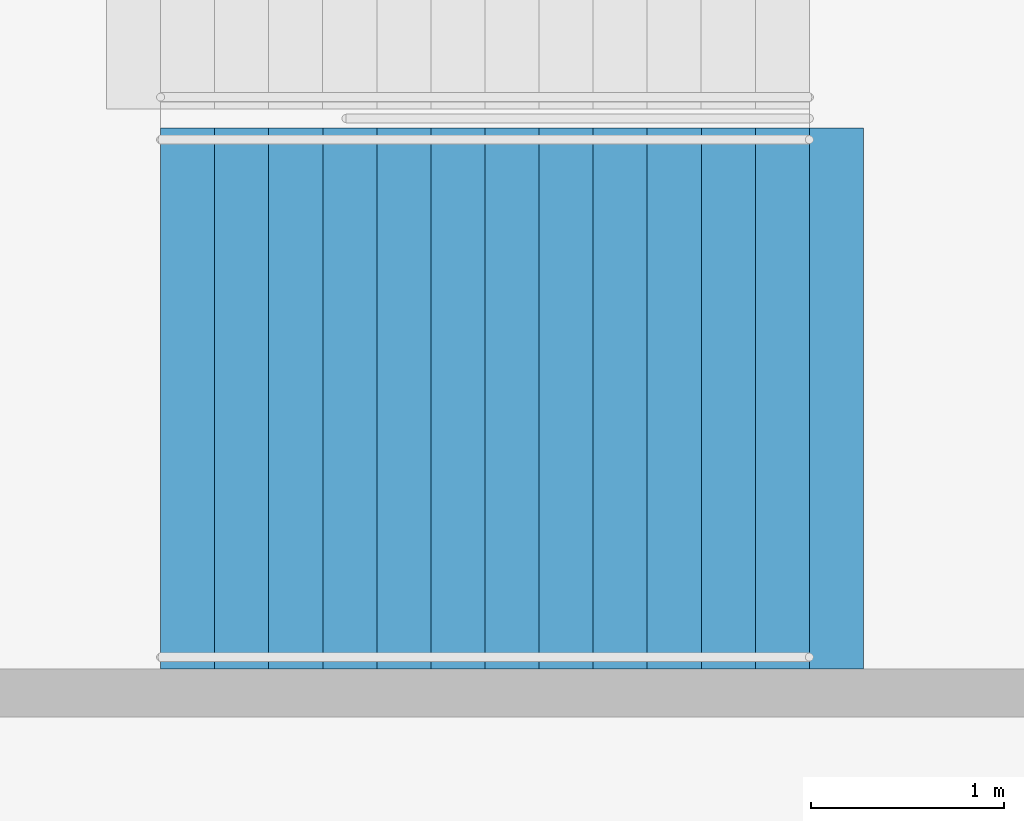
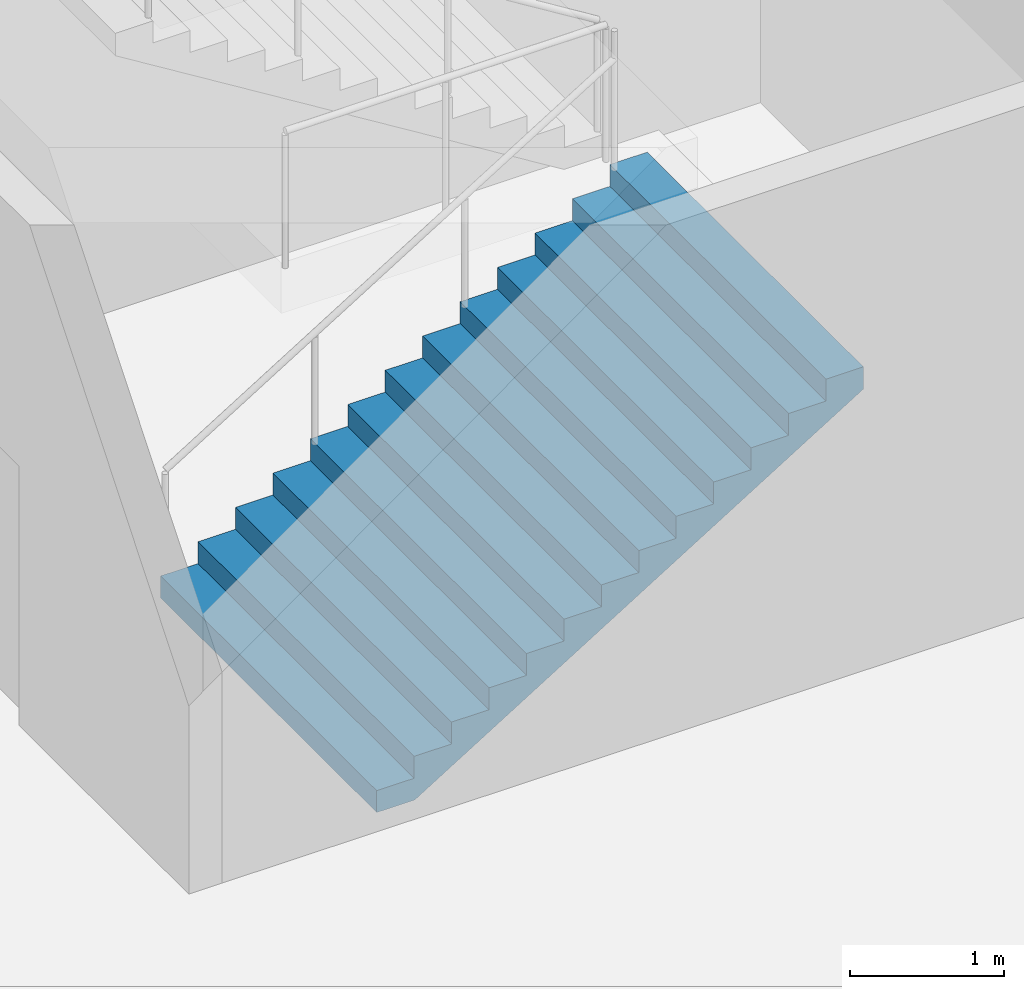
# One storey, part 80 of 115: 1 stair flight, 1 element without a shape of its own.
"""IFC4 building model written with IfcOpenShell, lengths in metres."""

from ifc_helpers import new_model, si_unit, direction, frame, origin, place, context, subcontext, project, spatial, faceted_brep, material, type_object, element, aggregate, save


model = new_model("IFC4")

# Units and contexts
model_context = context("Model", 3, precision=1e-05, world=origin(), true_north=direction((0.0, 1.0)))
body_context = subcontext(model_context, "Body", "Model", "MODEL_VIEW")
ifc_project = project(units=[si_unit("LENGTHUNIT", "METRE"), si_unit("AREAUNIT", "SQUARE_METRE"), si_unit("VOLUMEUNIT", "CUBIC_METRE"), si_unit("PLANEANGLEUNIT", "RADIAN"), si_unit("MASSUNIT", "GRAM", prefix="KILO")], contexts=[model_context])

# Site, building, storey
site_placement = place(None, origin())
site = spatial("IfcSite", under=ifc_project, at=site_placement, CompositionType="ELEMENT")
building_placement = place(site_placement, origin())
building = spatial("IfcBuilding", under=site, at=building_placement, Name="Ogive Plaza Stadium", CompositionType="ELEMENT")
storey_placement = place(building_placement, frame((0.0, 0.0, -4.5)))
storey = spatial("IfcBuildingStorey", under=building, at=storey_placement, Name="B1", CompositionType="ELEMENT", Elevation=-4.5)

# Stair, stair flight
ifc_material_1 = material(Name="Concrete C40/50", Category="concrete")
stair_type = type_object("IfcStairType", Name="Exit stair", PredefinedType="STRAIGHT_RUN_STAIR", material=ifc_material_1)
stair_placement = place(storey_placement, origin())
stair = element("IfcStair", 1, at=stair_placement, inside=storey, type_object=stair_type, Name="Exit stair ST06A B1 to L00", PredefinedType="STRAIGHT_RUN_STAIR")
ifc_material_2 = material(Name="Concrete C40/50", Category="concrete")
stair_flight_type = type_object("IfcStairFlightType", Name="Exit stair flight", PredefinedType="STRAIGHT", material=ifc_material_2)
stair_flight_placement = place(storey_placement, frame((76.35009765625, -26.925048828125, 0.0), z_axis=(0.0, 0.0, 1.0), x_axis=(1.0, 0.0, 0.0)))
stair_flight = element("IfcStairFlight", 2, at=stair_flight_placement, type_object=stair_flight_type, Name="ST06A flight 1", NumberOfRisers=13, NumberOfTreads=12, PredefinedType="STRAIGHT", RiserHeight=0.173076923, TreadLength=0.28, context=body_context, shape_type="Brep", body=[
    faceted_brep([(0.28515625, -1.39990234375, 0.0), (3.639892578125, -1.39990234375, 2.07373046875), (3.639892578125, -1.39990234375, 2.25), (3.360107421875, -1.39990234375, 2.25), (3.360107421875, -1.39990234375, 2.076904296875), (3.080078125, -1.39990234375, 2.076904296875), (3.080078125, -1.39990234375, 1.90380859375), (2.800048828125, -1.39990234375, 1.90380859375), (2.800048828125, -1.39990234375, 1.730712890625), (2.52001953125, -1.39990234375, 1.730712890625), (2.52001953125, -1.39990234375, 1.5576171875), (2.239990234375, -1.39990234375, 1.5576171875), (2.239990234375, -1.39990234375, 1.384521484375), (1.9599609375, -1.39990234375, 1.384521484375), (1.9599609375, -1.39990234375, 1.21142578125), (1.679931640625, -1.39990234375, 1.21142578125), (1.679931640625, -1.39990234375, 1.03857421875), (1.39990234375, -1.39990234375, 1.03857421875), (1.39990234375, -1.39990234375, 0.865478515625), (1.1201171875, -1.39990234375, 0.865478515625), (1.1201171875, -1.39990234375, 0.6923828125), (0.840087890625, -1.39990234375, 0.6923828125), (0.840087890625, -1.39990234375, 0.519287109375), (0.56005859375, -1.39990234375, 0.519287109375), (0.56005859375, -1.39990234375, 0.34619140625), (0.280029296875, -1.39990234375, 0.34619140625), (0.280029296875, -1.39990234375, 0.173095703125), (0.0, -1.39990234375, 0.173095703125), (0.0, -1.39990234375, 0.0), (0.0, 1.39990234375, 0.0), (0.0, 1.39990234375, 0.173095703125), (0.280029296875, 1.39990234375, 0.173095703125), (0.280029296875, 1.39990234375, 0.34619140625), (0.56005859375, 1.39990234375, 0.34619140625), (0.56005859375, 1.39990234375, 0.519287109375), (0.840087890625, 1.39990234375, 0.519287109375), (0.840087890625, 1.39990234375, 0.6923828125), (1.1201171875, 1.39990234375, 0.6923828125), (1.1201171875, 1.39990234375, 0.865478515625), (1.39990234375, 1.39990234375, 0.865478515625), (1.39990234375, 1.39990234375, 1.03857421875), (1.679931640625, 1.39990234375, 1.03857421875), (1.679931640625, 1.39990234375, 1.21142578125), (1.9599609375, 1.39990234375, 1.21142578125), (1.9599609375, 1.39990234375, 1.384521484375), (2.239990234375, 1.39990234375, 1.384521484375), (2.239990234375, 1.39990234375, 1.5576171875), (2.52001953125, 1.39990234375, 1.5576171875), (2.52001953125, 1.39990234375, 1.730712890625), (2.800048828125, 1.39990234375, 1.730712890625), (2.800048828125, 1.39990234375, 1.90380859375), (3.080078125, 1.39990234375, 1.90380859375), (3.080078125, 1.39990234375, 2.076904296875), (3.360107421875, 1.39990234375, 2.076904296875), (3.360107421875, 1.39990234375, 2.25), (3.639892578125, 1.39990234375, 2.25), (3.639892578125, 1.39990234375, 2.07373046875), (0.28515625, 1.39990234375, 0.0), (0.28515625, -1.0888671875, 0.0), (3.639892578125, -1.0888671875, 2.07373046875), (0.28515625, -0.77783203125, 0.0), (3.639892578125, -0.77783203125, 2.07373046875), (0.28515625, -0.466796875, 0.0), (3.639892578125, -0.466796875, 2.07373046875), (0.28515625, -0.155517578125, 0.0), (3.639892578125, -0.155517578125, 2.07373046875), (0.28515625, 0.155517578125, 0.0), (3.639892578125, 0.155517578125, 2.07373046875), (0.28515625, 0.466796875, 0.0), (3.639892578125, 0.466796875, 2.07373046875), (0.28515625, 0.77783203125, 0.0), (3.639892578125, 0.77783203125, 2.07373046875), (0.28515625, 1.0888671875, 0.0), (3.639892578125, 1.0888671875, 2.07373046875), (3.639892578125, -1.0888671875, 2.25), (3.639892578125, -0.77783203125, 2.25), (3.639892578125, -0.466796875, 2.25), (3.639892578125, -0.155517578125, 2.25), (3.639892578125, 0.155517578125, 2.25), (3.639892578125, 0.466796875, 2.25), (3.639892578125, 0.77783203125, 2.25), (3.639892578125, 1.0888671875, 2.25), (3.360107421875, -1.0888671875, 2.25), (3.360107421875, -0.77783203125, 2.25), (3.360107421875, -0.466796875, 2.25), (3.360107421875, -0.155517578125, 2.25), (3.360107421875, 0.155517578125, 2.25), (3.360107421875, 0.466796875, 2.25), (3.360107421875, 0.77783203125, 2.25), (3.360107421875, 1.0888671875, 2.25), (3.360107421875, -1.0888671875, 2.076904296875), (3.360107421875, -0.77783203125, 2.076904296875), (3.360107421875, -0.466796875, 2.076904296875), (3.360107421875, -0.155517578125, 2.076904296875), (3.360107421875, 0.155517578125, 2.076904296875), (3.360107421875, 0.466796875, 2.076904296875), (3.360107421875, 0.77783203125, 2.076904296875), (3.360107421875, 1.0888671875, 2.076904296875), (3.080078125, -1.0888671875, 2.076904296875), (3.080078125, -0.77783203125, 2.076904296875), (3.080078125, -0.466796875, 2.076904296875), (3.080078125, -0.155517578125, 2.076904296875), (3.080078125, 0.155517578125, 2.076904296875), (3.080078125, 0.466796875, 2.076904296875), (3.080078125, 0.77783203125, 2.076904296875), (3.080078125, 1.0888671875, 2.076904296875), (3.080078125, -1.0888671875, 1.90380859375), (3.080078125, -0.77783203125, 1.90380859375), (3.080078125, -0.466796875, 1.90380859375), (3.080078125, -0.155517578125, 1.90380859375), (3.080078125, 0.155517578125, 1.90380859375), (3.080078125, 0.466796875, 1.90380859375), (3.080078125, 0.77783203125, 1.90380859375), (3.080078125, 1.0888671875, 1.90380859375), (2.800048828125, -1.0888671875, 1.90380859375), (2.800048828125, -0.77783203125, 1.90380859375), (2.800048828125, -0.466796875, 1.90380859375), (2.800048828125, -0.155517578125, 1.90380859375), (2.800048828125, 0.155517578125, 1.90380859375), (2.800048828125, 0.466796875, 1.90380859375), (2.800048828125, 0.77783203125, 1.90380859375), (2.800048828125, 1.0888671875, 1.90380859375), (2.800048828125, -1.0888671875, 1.730712890625), (2.800048828125, -0.77783203125, 1.730712890625), (2.800048828125, -0.466796875, 1.730712890625), (2.800048828125, -0.155517578125, 1.730712890625), (2.800048828125, 0.155517578125, 1.730712890625), (2.800048828125, 0.466796875, 1.730712890625), (2.800048828125, 0.77783203125, 1.730712890625), (2.800048828125, 1.0888671875, 1.730712890625), (2.52001953125, -1.0888671875, 1.730712890625), (2.52001953125, -0.77783203125, 1.730712890625), (2.52001953125, -0.466796875, 1.730712890625), (2.52001953125, -0.155517578125, 1.730712890625), (2.52001953125, 0.155517578125, 1.730712890625), (2.52001953125, 0.466796875, 1.730712890625), (2.52001953125, 0.77783203125, 1.730712890625), (2.52001953125, 1.0888671875, 1.730712890625), (2.52001953125, -1.0888671875, 1.5576171875), (2.52001953125, -0.77783203125, 1.5576171875), (2.52001953125, -0.466796875, 1.5576171875), (2.52001953125, -0.155517578125, 1.5576171875), (2.52001953125, 0.155517578125, 1.5576171875), (2.52001953125, 0.466796875, 1.5576171875), (2.52001953125, 0.77783203125, 1.5576171875), (2.52001953125, 1.0888671875, 1.5576171875), (2.239990234375, -1.0888671875, 1.5576171875), (2.239990234375, -0.77783203125, 1.5576171875), (2.239990234375, -0.466796875, 1.5576171875), (2.239990234375, -0.155517578125, 1.5576171875), (2.239990234375, 0.155517578125, 1.5576171875), (2.239990234375, 0.466796875, 1.5576171875), (2.239990234375, 0.77783203125, 1.5576171875), (2.239990234375, 1.0888671875, 1.5576171875), (2.239990234375, -1.0888671875, 1.384521484375), (2.239990234375, -0.77783203125, 1.384521484375), (2.239990234375, -0.466796875, 1.384521484375), (2.239990234375, -0.155517578125, 1.384521484375), (2.239990234375, 0.155517578125, 1.384521484375), (2.239990234375, 0.466796875, 1.384521484375), (2.239990234375, 0.77783203125, 1.384521484375), (2.239990234375, 1.0888671875, 1.384521484375), (1.9599609375, -1.0888671875, 1.384521484375), (1.9599609375, -0.77783203125, 1.384521484375), (1.9599609375, -0.466796875, 1.384521484375), (1.9599609375, -0.155517578125, 1.384521484375), (1.9599609375, 0.155517578125, 1.384521484375), (1.9599609375, 0.466796875, 1.384521484375), (1.9599609375, 0.77783203125, 1.384521484375), (1.9599609375, 1.0888671875, 1.384521484375), (1.9599609375, -1.0888671875, 1.21142578125), (1.9599609375, -0.77783203125, 1.21142578125), (1.9599609375, -0.466796875, 1.21142578125), (1.9599609375, -0.155517578125, 1.21142578125), (1.9599609375, 0.155517578125, 1.21142578125), (1.9599609375, 0.466796875, 1.21142578125), (1.9599609375, 0.77783203125, 1.21142578125), (1.9599609375, 1.0888671875, 1.21142578125), (1.679931640625, -1.0888671875, 1.21142578125), (1.679931640625, -0.77783203125, 1.21142578125), (1.679931640625, -0.466796875, 1.21142578125), (1.679931640625, -0.155517578125, 1.21142578125), (1.679931640625, 0.155517578125, 1.21142578125), (1.679931640625, 0.466796875, 1.21142578125), (1.679931640625, 0.77783203125, 1.21142578125), (1.679931640625, 1.0888671875, 1.21142578125), (1.679931640625, -1.0888671875, 1.03857421875), (1.679931640625, -0.77783203125, 1.03857421875), (1.679931640625, -0.466796875, 1.03857421875), (1.679931640625, -0.155517578125, 1.03857421875), (1.679931640625, 0.155517578125, 1.03857421875), (1.679931640625, 0.466796875, 1.03857421875), (1.679931640625, 0.77783203125, 1.03857421875), (1.679931640625, 1.0888671875, 1.03857421875), (1.39990234375, -1.0888671875, 1.03857421875), (1.39990234375, -0.77783203125, 1.03857421875), (1.39990234375, -0.466796875, 1.03857421875), (1.39990234375, -0.155517578125, 1.03857421875), (1.39990234375, 0.155517578125, 1.03857421875), (1.39990234375, 0.466796875, 1.03857421875), (1.39990234375, 0.77783203125, 1.03857421875), (1.39990234375, 1.0888671875, 1.03857421875), (1.39990234375, -1.0888671875, 0.865478515625), (1.39990234375, -0.77783203125, 0.865478515625), (1.39990234375, -0.466796875, 0.865478515625), (1.39990234375, -0.155517578125, 0.865478515625), (1.39990234375, 0.155517578125, 0.865478515625), (1.39990234375, 0.466796875, 0.865478515625), (1.39990234375, 0.77783203125, 0.865478515625), (1.39990234375, 1.0888671875, 0.865478515625), (1.1201171875, -1.0888671875, 0.865478515625), (1.1201171875, -0.77783203125, 0.865478515625), (1.1201171875, -0.466796875, 0.865478515625), (1.1201171875, -0.155517578125, 0.865478515625), (1.1201171875, 0.155517578125, 0.865478515625), (1.1201171875, 0.466796875, 0.865478515625), (1.1201171875, 0.77783203125, 0.865478515625), (1.1201171875, 1.0888671875, 0.865478515625), (1.1201171875, -1.0888671875, 0.6923828125), (1.1201171875, -0.77783203125, 0.6923828125), (1.1201171875, -0.466796875, 0.6923828125), (1.1201171875, -0.155517578125, 0.6923828125), (1.1201171875, 0.155517578125, 0.6923828125), (1.1201171875, 0.466796875, 0.6923828125), (1.1201171875, 0.77783203125, 0.6923828125), (1.1201171875, 1.0888671875, 0.6923828125), (0.840087890625, -1.0888671875, 0.6923828125), (0.840087890625, -0.77783203125, 0.6923828125), (0.840087890625, -0.466796875, 0.6923828125), (0.840087890625, -0.155517578125, 0.6923828125), (0.840087890625, 0.155517578125, 0.6923828125), (0.840087890625, 0.466796875, 0.6923828125), (0.840087890625, 0.77783203125, 0.6923828125), (0.840087890625, 1.0888671875, 0.6923828125), (0.840087890625, -1.0888671875, 0.519287109375), (0.840087890625, -0.77783203125, 0.519287109375), (0.840087890625, -0.466796875, 0.519287109375), (0.840087890625, -0.155517578125, 0.519287109375), (0.840087890625, 0.155517578125, 0.519287109375), (0.840087890625, 0.466796875, 0.519287109375), (0.840087890625, 0.77783203125, 0.519287109375), (0.840087890625, 1.0888671875, 0.519287109375), (0.56005859375, -1.0888671875, 0.519287109375), (0.56005859375, -0.77783203125, 0.519287109375), (0.56005859375, -0.466796875, 0.519287109375), (0.56005859375, -0.155517578125, 0.519287109375), (0.56005859375, 0.155517578125, 0.519287109375), (0.56005859375, 0.466796875, 0.519287109375), (0.56005859375, 0.77783203125, 0.519287109375), (0.56005859375, 1.0888671875, 0.519287109375), (0.56005859375, -1.0888671875, 0.34619140625), (0.56005859375, -0.77783203125, 0.34619140625), (0.56005859375, -0.466796875, 0.34619140625), (0.56005859375, -0.155517578125, 0.34619140625), (0.56005859375, 0.155517578125, 0.34619140625), (0.56005859375, 0.466796875, 0.34619140625), (0.56005859375, 0.77783203125, 0.34619140625), (0.56005859375, 1.0888671875, 0.34619140625), (0.280029296875, -1.0888671875, 0.34619140625), (0.280029296875, -0.77783203125, 0.34619140625), (0.280029296875, -0.466796875, 0.34619140625), (0.280029296875, -0.155517578125, 0.34619140625), (0.280029296875, 0.155517578125, 0.34619140625), (0.280029296875, 0.466796875, 0.34619140625), (0.280029296875, 0.77783203125, 0.34619140625), (0.280029296875, 1.0888671875, 0.34619140625), (0.280029296875, -1.0888671875, 0.173095703125), (0.280029296875, -0.77783203125, 0.173095703125), (0.280029296875, -0.466796875, 0.173095703125), (0.280029296875, -0.155517578125, 0.173095703125), (0.280029296875, 0.155517578125, 0.173095703125), (0.280029296875, 0.466796875, 0.173095703125), (0.280029296875, 0.77783203125, 0.173095703125), (0.280029296875, 1.0888671875, 0.173095703125), (0.0, -1.0888671875, 0.173095703125), (0.0, -0.77783203125, 0.173095703125), (0.0, -0.466796875, 0.173095703125), (0.0, -0.155517578125, 0.173095703125), (0.0, 0.155517578125, 0.173095703125), (0.0, 0.466796875, 0.173095703125), (0.0, 0.77783203125, 0.173095703125), (0.0, 1.0888671875, 0.173095703125), (0.0, -1.0888671875, 0.0), (0.0, -0.77783203125, 0.0), (0.0, -0.466796875, 0.0), (0.0, -0.155517578125, 0.0), (0.0, 0.155517578125, 0.0), (0.0, 0.466796875, 0.0), (0.0, 0.77783203125, 0.0), (0.0, 1.0888671875, 0.0)], [[[0, 1, 2, 3, 4, 5, 6, 7, 8, 9, 10, 11, 12, 13, 14, 15, 16, 17, 18, 19, 20, 21, 22, 23, 24, 25, 26, 27, 28]], [[29, 30, 31, 32, 33, 34, 35, 36, 37, 38, 39, 40, 41, 42, 43, 44, 45, 46, 47, 48, 49, 50, 51, 52, 53, 54, 55, 56, 57]], [[0, 58, 59, 1]], [[58, 60, 61, 59]], [[60, 62, 63, 61]], [[62, 64, 65, 63]], [[64, 66, 67, 65]], [[66, 68, 69, 67]], [[68, 70, 71, 69]], [[70, 72, 73, 71]], [[72, 57, 56, 73]], [[1, 59, 74, 2]], [[59, 61, 75, 74]], [[61, 63, 76, 75]], [[63, 65, 77, 76]], [[65, 67, 78, 77]], [[67, 69, 79, 78]], [[69, 71, 80, 79]], [[71, 73, 81, 80]], [[73, 56, 55, 81]], [[2, 74, 82, 3]], [[74, 75, 83, 82]], [[75, 76, 84, 83]], [[76, 77, 85, 84]], [[77, 78, 86, 85]], [[78, 79, 87, 86]], [[79, 80, 88, 87]], [[80, 81, 89, 88]], [[81, 55, 54, 89]], [[3, 82, 90, 4]], [[82, 83, 91, 90]], [[83, 84, 92, 91]], [[84, 85, 93, 92]], [[85, 86, 94, 93]], [[86, 87, 95, 94]], [[87, 88, 96, 95]], [[88, 89, 97, 96]], [[89, 54, 53, 97]], [[4, 90, 98, 5]], [[90, 91, 99, 98]], [[91, 92, 100, 99]], [[92, 93, 101, 100]], [[93, 94, 102, 101]], [[94, 95, 103, 102]], [[95, 96, 104, 103]], [[96, 97, 105, 104]], [[97, 53, 52, 105]], [[5, 98, 106, 6]], [[98, 99, 107, 106]], [[99, 100, 108, 107]], [[100, 101, 109, 108]], [[101, 102, 110, 109]], [[102, 103, 111, 110]], [[103, 104, 112, 111]], [[104, 105, 113, 112]], [[105, 52, 51, 113]], [[6, 106, 114, 7]], [[106, 107, 115, 114]], [[107, 108, 116, 115]], [[108, 109, 117, 116]], [[109, 110, 118, 117]], [[110, 111, 119, 118]], [[111, 112, 120, 119]], [[112, 113, 121, 120]], [[113, 51, 50, 121]], [[7, 114, 122, 8]], [[114, 115, 123, 122]], [[115, 116, 124, 123]], [[116, 117, 125, 124]], [[117, 118, 126, 125]], [[118, 119, 127, 126]], [[119, 120, 128, 127]], [[120, 121, 129, 128]], [[121, 50, 49, 129]], [[8, 122, 130, 9]], [[122, 123, 131, 130]], [[123, 124, 132, 131]], [[124, 125, 133, 132]], [[125, 126, 134, 133]], [[126, 127, 135, 134]], [[127, 128, 136, 135]], [[128, 129, 137, 136]], [[129, 49, 48, 137]], [[9, 130, 138, 10]], [[130, 131, 139, 138]], [[131, 132, 140, 139]], [[132, 133, 141, 140]], [[133, 134, 142, 141]], [[134, 135, 143, 142]], [[135, 136, 144, 143]], [[136, 137, 145, 144]], [[137, 48, 47, 145]], [[10, 138, 146, 11]], [[138, 139, 147, 146]], [[139, 140, 148, 147]], [[140, 141, 149, 148]], [[141, 142, 150, 149]], [[142, 143, 151, 150]], [[143, 144, 152, 151]], [[144, 145, 153, 152]], [[145, 47, 46, 153]], [[11, 146, 154, 12]], [[146, 147, 155, 154]], [[147, 148, 156, 155]], [[148, 149, 157, 156]], [[149, 150, 158, 157]], [[150, 151, 159, 158]], [[151, 152, 160, 159]], [[152, 153, 161, 160]], [[153, 46, 45, 161]], [[12, 154, 162, 13]], [[154, 155, 163, 162]], [[155, 156, 164, 163]], [[156, 157, 165, 164]], [[157, 158, 166, 165]], [[158, 159, 167, 166]], [[159, 160, 168, 167]], [[160, 161, 169, 168]], [[161, 45, 44, 169]], [[13, 162, 170, 14]], [[162, 163, 171, 170]], [[163, 164, 172, 171]], [[164, 165, 173, 172]], [[165, 166, 174, 173]], [[166, 167, 175, 174]], [[167, 168, 176, 175]], [[168, 169, 177, 176]], [[169, 44, 43, 177]], [[14, 170, 178, 15]], [[170, 171, 179, 178]], [[171, 172, 180, 179]], [[172, 173, 181, 180]], [[173, 174, 182, 181]], [[174, 175, 183, 182]], [[175, 176, 184, 183]], [[176, 177, 185, 184]], [[177, 43, 42, 185]], [[15, 178, 186, 16]], [[178, 179, 187, 186]], [[179, 180, 188, 187]], [[180, 181, 189, 188]], [[181, 182, 190, 189]], [[182, 183, 191, 190]], [[183, 184, 192, 191]], [[184, 185, 193, 192]], [[185, 42, 41, 193]], [[16, 186, 194, 17]], [[186, 187, 195, 194]], [[187, 188, 196, 195]], [[188, 189, 197, 196]], [[189, 190, 198, 197]], [[190, 191, 199, 198]], [[191, 192, 200, 199]], [[192, 193, 201, 200]], [[193, 41, 40, 201]], [[17, 194, 202, 18]], [[194, 195, 203, 202]], [[195, 196, 204, 203]], [[196, 197, 205, 204]], [[197, 198, 206, 205]], [[198, 199, 207, 206]], [[199, 200, 208, 207]], [[200, 201, 209, 208]], [[201, 40, 39, 209]], [[18, 202, 210, 19]], [[202, 203, 211, 210]], [[203, 204, 212, 211]], [[204, 205, 213, 212]], [[205, 206, 214, 213]], [[206, 207, 215, 214]], [[207, 208, 216, 215]], [[208, 209, 217, 216]], [[209, 39, 38, 217]], [[19, 210, 218, 20]], [[210, 211, 219, 218]], [[211, 212, 220, 219]], [[212, 213, 221, 220]], [[213, 214, 222, 221]], [[214, 215, 223, 222]], [[215, 216, 224, 223]], [[216, 217, 225, 224]], [[217, 38, 37, 225]], [[20, 218, 226, 21]], [[218, 219, 227, 226]], [[219, 220, 228, 227]], [[220, 221, 229, 228]], [[221, 222, 230, 229]], [[222, 223, 231, 230]], [[223, 224, 232, 231]], [[224, 225, 233, 232]], [[225, 37, 36, 233]], [[21, 226, 234, 22]], [[226, 227, 235, 234]], [[227, 228, 236, 235]], [[228, 229, 237, 236]], [[229, 230, 238, 237]], [[230, 231, 239, 238]], [[231, 232, 240, 239]], [[232, 233, 241, 240]], [[233, 36, 35, 241]], [[22, 234, 242, 23]], [[234, 235, 243, 242]], [[235, 236, 244, 243]], [[236, 237, 245, 244]], [[237, 238, 246, 245]], [[238, 239, 247, 246]], [[239, 240, 248, 247]], [[240, 241, 249, 248]], [[241, 35, 34, 249]], [[23, 242, 250, 24]], [[242, 243, 251, 250]], [[243, 244, 252, 251]], [[244, 245, 253, 252]], [[245, 246, 254, 253]], [[246, 247, 255, 254]], [[247, 248, 256, 255]], [[248, 249, 257, 256]], [[249, 34, 33, 257]], [[24, 250, 258, 25]], [[250, 251, 259, 258]], [[251, 252, 260, 259]], [[252, 253, 261, 260]], [[253, 254, 262, 261]], [[254, 255, 263, 262]], [[255, 256, 264, 263]], [[256, 257, 265, 264]], [[257, 33, 32, 265]], [[25, 258, 266, 26]], [[258, 259, 267, 266]], [[259, 260, 268, 267]], [[260, 261, 269, 268]], [[261, 262, 270, 269]], [[262, 263, 271, 270]], [[263, 264, 272, 271]], [[264, 265, 273, 272]], [[265, 32, 31, 273]], [[26, 266, 274, 27]], [[266, 267, 275, 274]], [[267, 268, 276, 275]], [[268, 269, 277, 276]], [[269, 270, 278, 277]], [[270, 271, 279, 278]], [[271, 272, 280, 279]], [[272, 273, 281, 280]], [[273, 31, 30, 281]], [[27, 274, 282, 28]], [[274, 275, 283, 282]], [[275, 276, 284, 283]], [[276, 277, 285, 284]], [[277, 278, 286, 285]], [[278, 279, 287, 286]], [[279, 280, 288, 287]], [[280, 281, 289, 288]], [[281, 30, 29, 289]], [[28, 282, 58, 0]], [[282, 283, 60, 58]], [[283, 284, 62, 60]], [[284, 285, 64, 62]], [[285, 286, 66, 64]], [[286, 287, 68, 66]], [[287, 288, 70, 68]], [[288, 289, 72, 70]], [[289, 29, 57, 72]]]),
])
aggregate(stair, [stair_flight])

save(model, "model.ifc")
